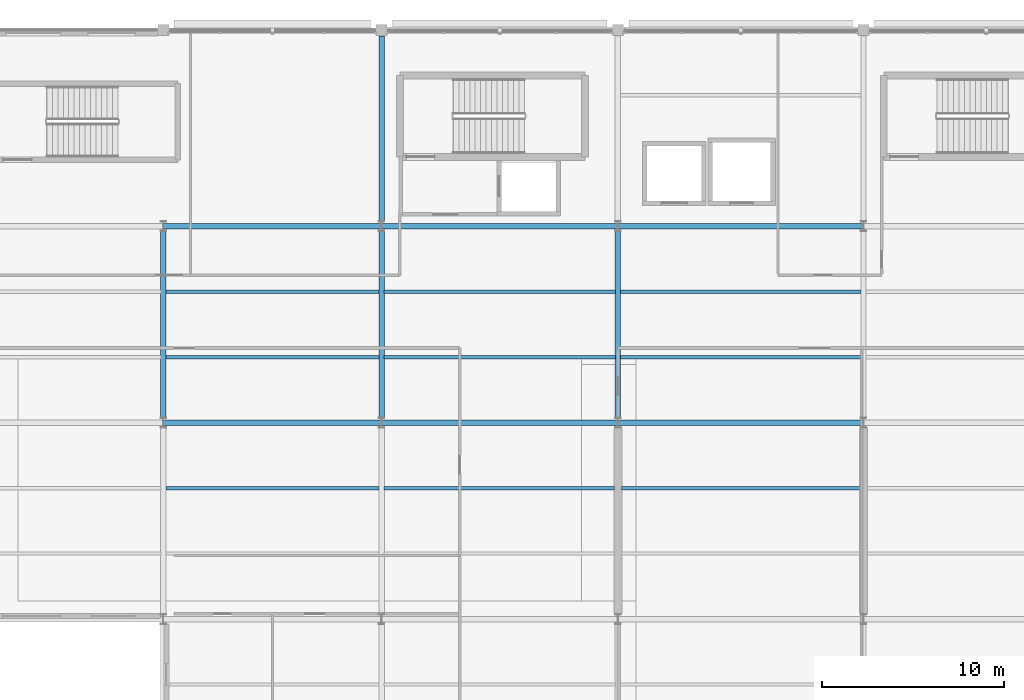
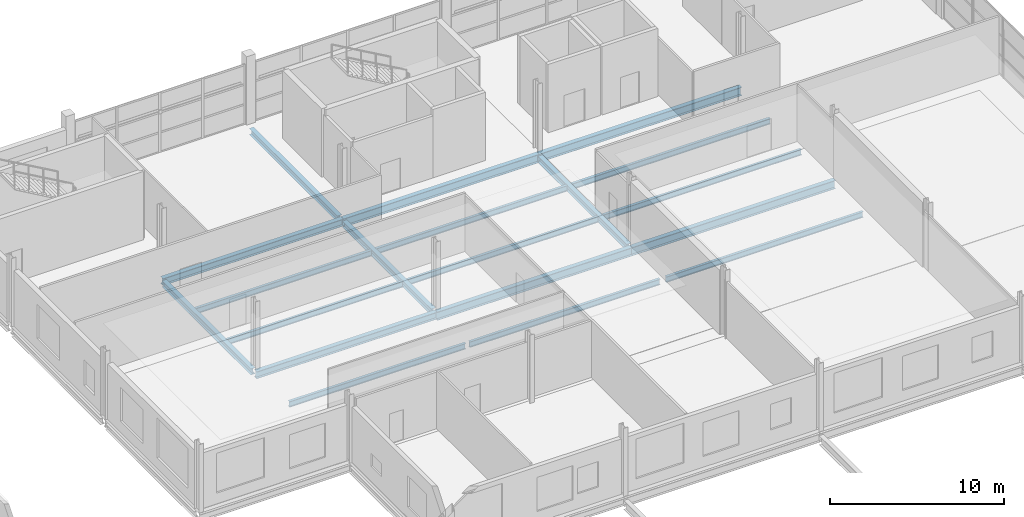
# One storey, part 100 of 134: 19 beams.
"""IFC4 building model written with IfcOpenShell, lengths in metres."""

from ifc_helpers import new_model, si_unit, direction, frame, origin, origin_2d, place, context, subcontext, project, spatial, i_section, extrude, material, material_profile, profile_set, type_object, element, save


model = new_model("IFC4")

# Units and contexts
model_context = context("Model", 3, precision=1e-05, world=origin(), true_north=direction((0.0, 1.0)))
body_context = subcontext(model_context, "Body", "Model", "MODEL_VIEW")
ifc_project = project(units=[si_unit("LENGTHUNIT", "METRE"), si_unit("AREAUNIT", "SQUARE_METRE"), si_unit("VOLUMEUNIT", "CUBIC_METRE"), si_unit("PLANEANGLEUNIT", "RADIAN"), si_unit("MASSUNIT", "GRAM", prefix="KILO")], contexts=[model_context])

# Site, building, storey
site_placement = place(None, origin())
site = spatial("IfcSite", under=ifc_project, at=site_placement, CompositionType="ELEMENT")
building_placement = place(site_placement, origin())
building = spatial("IfcBuilding", under=site, at=building_placement, Name="Tamarisk Ironworks Central Station", CompositionType="ELEMENT")
storey_placement = place(building_placement, frame((0.0, 0.0, 12.60009765625)))
storey = spatial("IfcBuildingStorey", under=building, at=storey_placement, Name="L02", CompositionType="ELEMENT", Elevation=12.60009765625)

# Beams
ifc_material = material(Name="Structural steel S355J2", Category="steel")
ifc_material_profile_1 = material_profile(ifc_material, i_section(OverallWidth=0.179931640625, OverallDepth=0.39990234375, WebThickness=0.008544921875, FlangeThickness=0.013427734375, at=origin_2d()), Name="IPE 400")
ifc_profile_set_1 = profile_set([ifc_material_profile_1], Name="Structural steel S355J2")
beam_type_1 = type_object("IfcBeamType", Name="BM-B04", PredefinedType="BEAM", material=ifc_profile_set_1)
for number, where, z_axis, x_axis, name in (
    (1, (128.135009765625, 97.199951171875, -0.4501953125), (1.0, 0.0, 0.0), (0.0, 1.0, 0.0), "L02 secondary composite beam 0162"),
    (2, (128.135009765625, 104.39990234375, -0.4501953125), (1.0, 0.0, 0.0), (0.0, 1.0, 0.0), "L02 secondary composite beam 0163"),
    (3, (128.135009765625, 108.0, -0.4501953125), (1.0, 0.0, 0.0), (0.0, 1.0, 0.0), "L02 secondary composite beam 0164"),
):
    element("IfcBeam", number, at=place(storey_placement, frame(where, z_axis=z_axis, x_axis=x_axis)), inside=storey, type_object=beam_type_1, Name=name, PredefinedType="BEAM", context=body_context, shape_type="SweptSolid", body=[
        extrude(i_section(OverallWidth=0.179931640625, OverallDepth=0.39990234375, WebThickness=0.008544921875, FlangeThickness=0.013427734375, at=origin_2d()), origin(), (0.0, 0.0, 1.0), 11.72998046875),
    ])
beam_1_placement = place(storey_placement, frame((140.135009765625, 97.199951171875, -0.4501953125), z_axis=(1.0, 0.0, 0.0), x_axis=(0.0, 1.0, 0.0)))
element("IfcBeam", 4, at=beam_1_placement, inside=storey, type_object=beam_type_1, Name="L02 secondary composite beam 0166", PredefinedType="BEAM", context=body_context, shape_type="SweptSolid", body=[
    extrude(i_section(OverallWidth=0.179931640625, OverallDepth=0.39990234375, WebThickness=0.008544921875, FlangeThickness=0.013427734375, at=origin_2d()), origin(), (0.0, 0.0, 1.0), 12.6650390625),
])
for number, where, z_axis, x_axis, name in (
    (5, (140.135009765625, 104.39990234375, -0.4501953125), (1.0, 0.0, 0.0), (0.0, 1.0, 0.0), "L02 secondary composite beam 0167"),
    (6, (140.135009765625, 108.0, -0.4501953125), (1.0, 0.0, 0.0), (0.0, 1.0, 0.0), "L02 secondary composite beam 0168"),
):
    element("IfcBeam", number, at=place(storey_placement, frame(where, z_axis=z_axis, x_axis=x_axis)), inside=storey, type_object=beam_type_1, Name=name, PredefinedType="BEAM", context=body_context, shape_type="SweptSolid", body=[
        extrude(i_section(OverallWidth=0.179931640625, OverallDepth=0.39990234375, WebThickness=0.008544921875, FlangeThickness=0.013427734375, at=origin_2d()), origin(), (0.0, 0.0, 1.0), 12.72998046875),
    ])
beam_2_placement = place(storey_placement, frame((153.199951171875, 97.199951171875, -0.4501953125), z_axis=(1.0, 0.0, 0.0), x_axis=(0.0, 1.0, 0.0)))
element("IfcBeam", 7, at=beam_2_placement, inside=storey, type_object=beam_type_1, Name="L02 secondary composite beam 0170", PredefinedType="BEAM", context=body_context, shape_type="SweptSolid", body=[
    extrude(i_section(OverallWidth=0.179931640625, OverallDepth=0.39990234375, WebThickness=0.008544921875, FlangeThickness=0.013427734375, at=origin_2d()), origin(), (0.0, 0.0, 1.0), 13.10009765625),
])
for number, where, z_axis, x_axis, name in (
    (8, (153.135009765625, 104.39990234375, -0.4501953125), (1.0, 0.0, 0.0), (0.0, 1.0, 0.0), "L02 secondary composite beam 0171"),
    (9, (153.135009765625, 108.0, -0.4501953125), (1.0, 0.0, 0.0), (0.0, 1.0, 0.0), "L02 secondary composite beam 0172"),
):
    element("IfcBeam", number, at=place(storey_placement, frame(where, z_axis=z_axis, x_axis=x_axis)), inside=storey, type_object=beam_type_1, Name=name, PredefinedType="BEAM", context=body_context, shape_type="SweptSolid", body=[
        extrude(i_section(OverallWidth=0.179931640625, OverallDepth=0.39990234375, WebThickness=0.008544921875, FlangeThickness=0.013427734375, at=origin_2d()), origin(), (0.0, 0.0, 1.0), 13.22998046875),
    ])
ifc_material_profile_2 = material_profile(ifc_material, i_section(OverallWidth=0.300048828125, OverallDepth=0.590087890625, WebThickness=0.012939453125, FlangeThickness=0.02490234375, at=origin_2d()), Name="HEA 600")
ifc_profile_set_2 = profile_set([ifc_material_profile_2], Name="Structural steel S355J2")
beam_type_2 = type_object("IfcBeamType", Name="BM-G03", PredefinedType="BEAM", material=ifc_profile_set_2)
beam_3_placement = place(storey_placement, frame((140.00390625, 100.800048828125, -0.545166015625), z_axis=(1.0, 0.0, 0.0), x_axis=(0.0, 1.0, 0.0)))
element("IfcBeam", 10, at=beam_3_placement, inside=storey, type_object=beam_type_2, Name="L02 primary girder X-0390", PredefinedType="BEAM", context=body_context, shape_type="SweptSolid", body=[
    extrude(i_section(OverallWidth=0.300048828125, OverallDepth=0.590087890625, WebThickness=0.012939453125, FlangeThickness=0.02490234375, at=origin_2d()), origin(), (0.0, 0.0, 1.0), 12.9921875),
])
beam_4_placement = place(storey_placement, frame((153.00390625, 100.800048828125, -0.545166015625), z_axis=(1.0, 0.0, 0.0), x_axis=(0.0, 1.0, 0.0)))
element("IfcBeam", 11, at=beam_4_placement, inside=storey, type_object=beam_type_2, Name="L02 primary girder X-0391", PredefinedType="BEAM", context=body_context, shape_type="SweptSolid", body=[
    extrude(i_section(OverallWidth=0.300048828125, OverallDepth=0.590087890625, WebThickness=0.012939453125, FlangeThickness=0.02490234375, at=origin_2d()), origin(), (0.0, 0.0, 1.0), 13.4921875),
])
beam_5_placement = place(storey_placement, frame((140.00390625, 111.60009765625, -0.545166015625), z_axis=(1.0, 0.0, 0.0), x_axis=(0.0, 1.0, 0.0)))
element("IfcBeam", 12, at=beam_5_placement, inside=storey, type_object=beam_type_2, Name="L02 primary girder X-0403", PredefinedType="BEAM", context=body_context, shape_type="SweptSolid", body=[
    extrude(i_section(OverallWidth=0.300048828125, OverallDepth=0.590087890625, WebThickness=0.012939453125, FlangeThickness=0.02490234375, at=origin_2d()), origin(), (0.0, 0.0, 1.0), 12.9921875),
])
beam_6_placement = place(storey_placement, frame((153.00390625, 111.60009765625, -0.545166015625), z_axis=(1.0, 0.0, 0.0), x_axis=(0.0, 1.0, 0.0)))
element("IfcBeam", 13, at=beam_6_placement, inside=storey, type_object=beam_type_2, Name="L02 primary girder X-0404", PredefinedType="BEAM", context=body_context, shape_type="SweptSolid", body=[
    extrude(i_section(OverallWidth=0.300048828125, OverallDepth=0.590087890625, WebThickness=0.012939453125, FlangeThickness=0.02490234375, at=origin_2d()), origin(), (0.0, 0.0, 1.0), 13.4921875),
])
ifc_material_profile_3 = material_profile(ifc_material, i_section(OverallWidth=0.300048828125, OverallDepth=0.489990234375, WebThickness=0.011962890625, FlangeThickness=0.02294921875, at=origin_2d()), Name="HEA 500")
ifc_profile_set_3 = profile_set([ifc_material_profile_3], Name="Structural steel S355J2")
beam_type_3 = type_object("IfcBeamType", Name="BM-G05", PredefinedType="BEAM", material=ifc_profile_set_3)
for number, where, z_axis, x_axis, name in (
    (14, (128.00390625, 100.800048828125, -0.4951171875), (1.0, 0.0, 0.0), (0.0, 1.0, 0.0), "L02 primary girder X-0389"),
    (15, (128.00390625, 111.60009765625, -0.4951171875), (1.0, 0.0, 0.0), (0.0, 1.0, 0.0), "L02 primary girder X-0402"),
):
    element("IfcBeam", number, at=place(storey_placement, frame(where, z_axis=z_axis, x_axis=x_axis)), inside=storey, type_object=beam_type_3, Name=name, PredefinedType="BEAM", context=body_context, shape_type="SweptSolid", body=[
        extrude(i_section(OverallWidth=0.300048828125, OverallDepth=0.489990234375, WebThickness=0.011962890625, FlangeThickness=0.02294921875, at=origin_2d()), origin(), (0.0, 0.0, 1.0), 11.9921875),
    ])
ifc_material_profile_4 = material_profile(ifc_material, i_section(OverallWidth=0.300048828125, OverallDepth=0.43994140625, WebThickness=0.011474609375, FlangeThickness=0.02099609375, at=origin_2d()), Name="HEA 450")
ifc_profile_set_4 = profile_set([ifc_material_profile_4], Name="Structural steel S355J2")
beam_type_4 = type_object("IfcBeamType", Name="BM-G06", PredefinedType="BEAM", material=ifc_profile_set_4)
for number, where, z_axis, x_axis, name in (
    (16, (128.0, 101.087890625, -0.47021484375), (0.0, 1.0, 0.0), (-1.0, 0.0, 0.0), "L02 primary girder Y-0501"),
    (17, (140.0, 101.087890625, -0.47021484375), (0.0, 1.0, 0.0), (-1.0, 0.0, 0.0), "L02 primary girder Y-0510"),
):
    element("IfcBeam", number, at=place(storey_placement, frame(where, z_axis=z_axis, x_axis=x_axis)), inside=storey, type_object=beam_type_4, Name=name, PredefinedType="BEAM", context=body_context, shape_type="SweptSolid", body=[
        extrude(i_section(OverallWidth=0.300048828125, OverallDepth=0.43994140625, WebThickness=0.011474609375, FlangeThickness=0.02099609375, at=origin_2d()), origin(), (0.0, 0.0, 1.0), 10.22412109375),
    ])
beam_7_placement = place(storey_placement, frame((140.0, 111.887939453125, -0.47021484375), z_axis=(0.0, 1.0, 0.0), x_axis=(-1.0, 0.0, 0.0)))
element("IfcBeam", 18, at=beam_7_placement, inside=storey, type_object=beam_type_4, Name="L02 primary girder Y-0511", PredefinedType="BEAM", context=body_context, shape_type="SweptSolid", body=[
    extrude(i_section(OverallWidth=0.300048828125, OverallDepth=0.43994140625, WebThickness=0.011474609375, FlangeThickness=0.02099609375, at=origin_2d()), origin(), (0.0, 0.0, 1.0), 10.174072265625),
])
beam_8_placement = place(storey_placement, frame((153.0, 101.087890625, -0.47021484375), z_axis=(0.0, 1.0, 0.0), x_axis=(-1.0, 0.0, 0.0)))
element("IfcBeam", 19, at=beam_8_placement, inside=storey, type_object=beam_type_4, Name="L02 primary girder Y-0519", PredefinedType="BEAM", context=body_context, shape_type="SweptSolid", body=[
    extrude(i_section(OverallWidth=0.300048828125, OverallDepth=0.43994140625, WebThickness=0.011474609375, FlangeThickness=0.02099609375, at=origin_2d()), origin(), (0.0, 0.0, 1.0), 10.22412109375),
])

save(model, "model.ifc")
